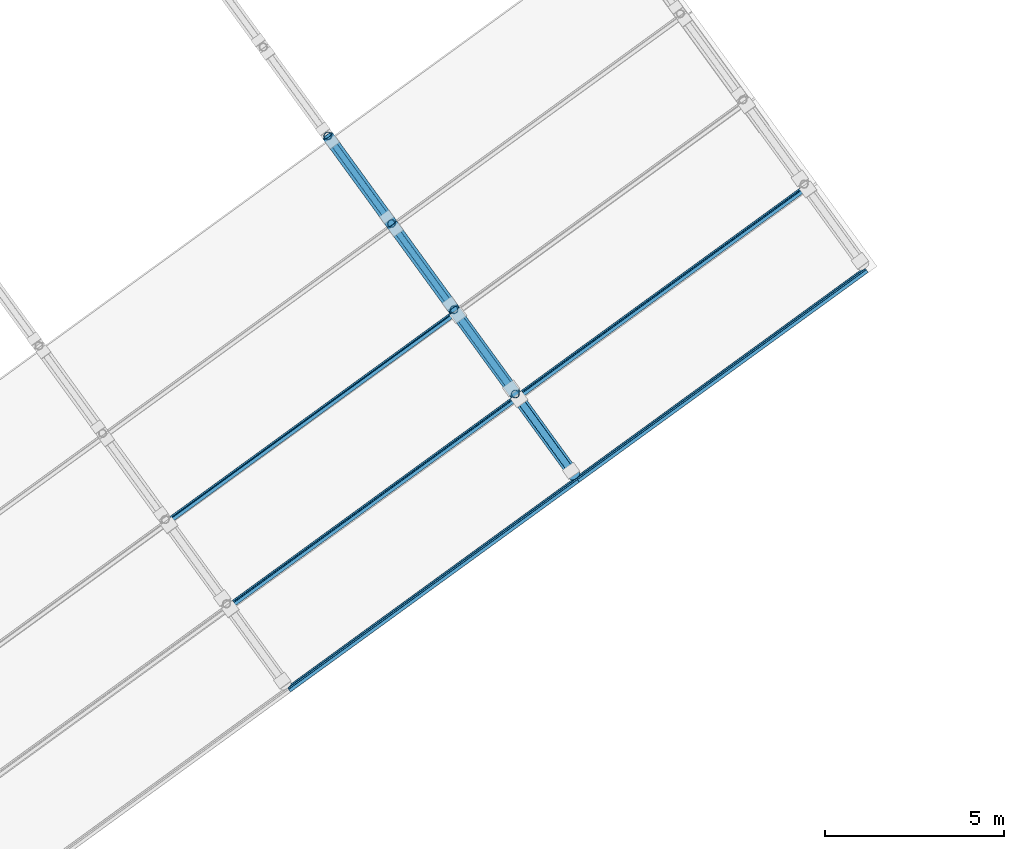
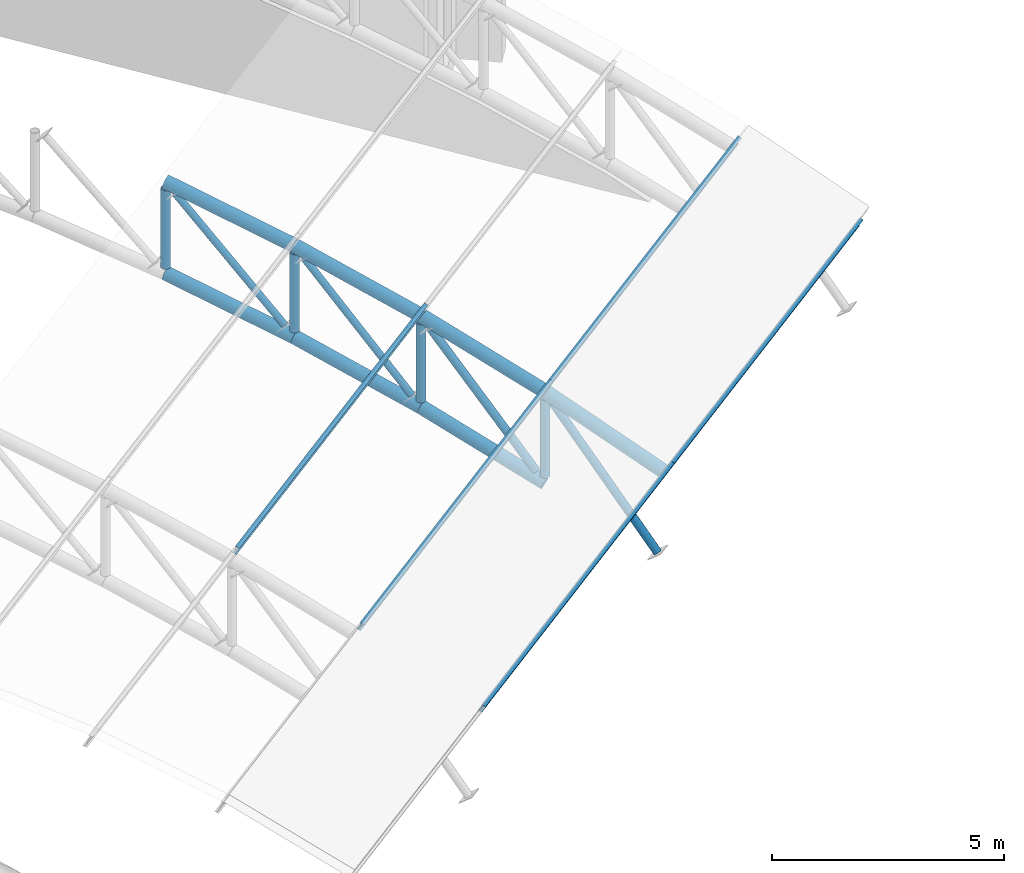
# One storey, part 31 of 69: 15 members, 5 beams.
"""IFC4 building model written with IfcOpenShell, lengths in metres."""

from ifc_helpers import new_model, si_unit, direction, frame, origin, origin_2d, place, context, subcontext, project, spatial, hollow_circle, i_section, extrude, material, material_profile, profile_set, type_object, element, save


model = new_model("IFC4")

# Units and contexts
model_context = context("Model", 3, precision=1e-05, world=origin(), true_north=direction((0.0, 1.0)))
body_context = subcontext(model_context, "Body", "Model", "MODEL_VIEW")
ifc_project = project(units=[si_unit("LENGTHUNIT", "METRE"), si_unit("AREAUNIT", "SQUARE_METRE"), si_unit("VOLUMEUNIT", "CUBIC_METRE"), si_unit("PLANEANGLEUNIT", "RADIAN"), si_unit("MASSUNIT", "GRAM", prefix="KILO")], contexts=[model_context])

# Site, building, storey
site_placement = place(None, origin())
site = spatial("IfcSite", under=ifc_project, at=site_placement, CompositionType="ELEMENT")
building_placement = place(site_placement, origin())
building = spatial("IfcBuilding", under=site, at=building_placement, Name="Okhra Congress Centre", CompositionType="ELEMENT")
storey_placement = place(building_placement, frame((0.0, 0.0, 16.800048828125)))
storey = spatial("IfcBuildingStorey", under=building, at=storey_placement, Name="L03", CompositionType="ELEMENT", Elevation=16.800048828125)

# Members
ifc_material_1 = material(Name="Steel S355J2H", Category="steel")
ifc_material_profile_1 = material_profile(ifc_material_1, hollow_circle(Radius=0.084228515625, WallThickness=0.00634765625, at=origin_2d()), Name="CHS 168.3x6.3")
ifc_profile_set_1 = profile_set([ifc_material_profile_1], Name="Steel S355J2H")
member_type_1 = type_object("IfcMemberType", Name="CHS 168.3x6.3", PredefinedType="BRACE", material=ifc_profile_set_1)
member_1_placement = place(storey_placement, frame((265.11865234375, 192.57666015625, 0.876220703125), z_axis=(-0.388372967773, 0.534433732195, 0.750697691348), x_axis=(-0.808956431788, -0.587868600513, 0.0)))
element("IfcMember", 1, at=member_1_placement, inside=storey, type_object=member_type_1, Name="Truss 6 diagonal 4", PredefinedType="BRACE", context=body_context, shape_type="SweptSolid", body=[
    extrude(hollow_circle(Radius=0.084228515625, WallThickness=0.00634765625, at=origin_2d()), origin(), (0.0, 0.0, 1.0), 3.8427734375),
])
member_2_placement = place(storey_placement, frame((263.358154296875, 194.999755859375, 1.861572265625), z_axis=(-0.403566104127, 0.555431833884, 0.727069375994), x_axis=(-0.809002272195, -0.587805515102, 0.0)))
element("IfcMember", 2, at=member_2_placement, inside=storey, type_object=member_type_1, Name="Truss 6 diagonal 5", PredefinedType="BRACE", context=body_context, shape_type="SweptSolid", body=[
    extrude(hollow_circle(Radius=0.084228515625, WallThickness=0.00634765625, at=origin_2d()), origin(), (0.0, 0.0, 1.0), 3.753662109375),
])
ifc_material_profile_2 = material_profile(ifc_material_1, hollow_circle(Radius=0.096923828125, WallThickness=0.010009765625, at=origin_2d()), Name="CHS 193.7x10")
ifc_profile_set_2 = profile_set([ifc_material_profile_2], Name="Steel S355J2H")
member_type_2 = type_object("IfcMemberType", Name="CHS 193.7x10", PredefinedType="BRACE", material=ifc_profile_set_2)
member_3_placement = place(storey_placement, frame((268.5224609375, 187.8916015625, -1.60595703125), z_axis=(-0.356744311991, 0.491020413212, 0.794753074654), x_axis=(-0.809019266757, -0.587782124615, 0.0)))
element("IfcMember", 3, at=member_3_placement, inside=storey, type_object=member_type_2, Name="Truss 6 diagonal 2", PredefinedType="BRACE", context=body_context, shape_type="SweptSolid", body=[
    extrude(hollow_circle(Radius=0.096923828125, WallThickness=0.010009765625, at=origin_2d()), origin(), (0.0, 0.0, 1.0), 4.052734375),
])
member_4_placement = place(storey_placement, frame((266.842041015625, 190.20458984375, -0.28076171875), z_axis=(-0.3727521496, 0.513012647098, 0.773223033081), x_axis=(-0.808997013889, -0.587812752089, 0.0)))
element("IfcMember", 4, at=member_4_placement, inside=storey, type_object=member_type_2, Name="Truss 6 diagonal 3", PredefinedType="BRACE", context=body_context, shape_type="SweptSolid", body=[
    extrude(hollow_circle(Radius=0.096923828125, WallThickness=0.010009765625, at=origin_2d()), origin(), (0.0, 0.0, 1.0), 3.95458984375),
])
ifc_material_profile_3 = material_profile(ifc_material_1, hollow_circle(Radius=0.109619140625, WallThickness=0.008056640625, at=origin_2d()), Name="CHS 219.1x8")
ifc_profile_set_3 = profile_set([ifc_material_profile_3], Name="Steel S355J2H")
member_type_3 = type_object("IfcMemberType", Name="CHS 219.1x8", PredefinedType="POST", material=ifc_profile_set_3)
member_5_placement = place(storey_placement, frame((266.962890625, 190.0380859375, -0.353271484375), z_axis=(0.0, 0.0, 1.0), x_axis=(1.0, 0.0, 0.0)))
element("IfcMember", 5, at=member_5_placement, inside=storey, type_object=member_type_3, Name="Truss 6 post 2", PredefinedType="POST", context=body_context, shape_type="SweptSolid", body=[
    extrude(hollow_circle(Radius=0.109619140625, WallThickness=0.008056640625, at=origin_2d()), origin(), (0.0, 0.0, 1.0), 2.043212890625),
])
member_6_placement = place(storey_placement, frame((265.2470703125, 192.39990234375, 0.80224609375), z_axis=(0.0, 0.0, 1.0), x_axis=(1.0, 0.0, 0.0)))
element("IfcMember", 6, at=member_6_placement, inside=storey, type_object=member_type_3, Name="Truss 6 post 3", PredefinedType="POST", context=body_context, shape_type="SweptSolid", body=[
    extrude(hollow_circle(Radius=0.109619140625, WallThickness=0.008056640625, at=origin_2d()), origin(), (0.0, 0.0, 1.0), 2.05126953125),
])
member_7_placement = place(storey_placement, frame((263.494384765625, 194.81201171875, 1.787109375), z_axis=(0.0, 0.0, 1.0), x_axis=(1.0, 0.0, 0.0)))
element("IfcMember", 7, at=member_7_placement, inside=storey, type_object=member_type_3, Name="Truss 6 post 4", PredefinedType="POST", context=body_context, shape_type="SweptSolid", body=[
    extrude(hollow_circle(Radius=0.109619140625, WallThickness=0.008056640625, at=origin_2d()), origin(), (0.0, 0.0, 1.0), 2.057861328125),
])
member_8_placement = place(storey_placement, frame((261.7109375, 197.2666015625, 2.597412109375), z_axis=(0.0, 0.0, 1.0), x_axis=(1.0, 0.0, 0.0)))
element("IfcMember", 8, at=member_8_placement, inside=storey, type_object=member_type_3, Name="Truss 6 post 5", PredefinedType="POST", context=body_context, shape_type="SweptSolid", body=[
    extrude(hollow_circle(Radius=0.109619140625, WallThickness=0.008056640625, at=origin_2d()), origin(), (0.0, 0.0, 1.0), 2.063232421875),
])
ifc_material_profile_4 = material_profile(ifc_material_1, hollow_circle(Radius=0.161865234375, WallThickness=0.012451171875, at=origin_2d()), Name="CHS 323.9x12.5")
ifc_profile_set_4 = profile_set([ifc_material_profile_4], Name="Steel S355J2H")
member_type_4 = type_object("IfcMemberType", Name="CHS 323.9x12.5", PredefinedType="CHORD", material=ifc_profile_set_4)
for number, where, z_axis, x_axis, name in (
    (9, (268.63623046875, 187.73486328125, 0.540771484375), (-0.532714364208, 0.733240051348, 0.42258068255), (-0.809025240298, -0.587773902586, 0.0), "Truss 6 top chord 2"),
    (10, (266.962890625, 190.0380859375, -0.53173828125), (-0.546233373681, 0.751886974528, 0.369181634175), (-0.809039757938, -0.58775391966, 0.0), "Truss 6 bottom chord 3"),
):
    element("IfcMember", number, at=place(storey_placement, frame(where, z_axis=z_axis, x_axis=x_axis)), inside=storey, type_object=member_type_4, Name=name, PredefinedType="CHORD", context=body_context, shape_type="SweptSolid", body=[
        extrude(hollow_circle(Radius=0.161865234375, WallThickness=0.012451171875, at=origin_2d()), origin(), (0.0, 0.0, 1.0), 3.14111328125),
    ])
member_9_placement = place(storey_placement, frame((266.962890625, 190.0380859375, 1.8681640625), z_axis=(-0.546217699248, 0.751865398766, 0.369248760548), x_axis=(-0.809039757938, -0.58775391966, 0.0)))
element("IfcMember", 11, at=member_9_placement, inside=storey, type_object=member_type_4, Name="Truss 6 top chord 3", PredefinedType="CHORD", context=body_context, shape_type="SweptSolid", body=[
    extrude(hollow_circle(Radius=0.161865234375, WallThickness=0.012451171875, at=origin_2d()), origin(), (0.0, 0.0, 1.0), 3.141357421875),
])
for number, where, z_axis, x_axis, name in (
    (12, (265.2470703125, 192.39990234375, 0.6279296875), (-0.557987850895, 0.767923104449, 0.314553117784), (-0.808987408201, -0.587825972012, 0.0), "Truss 6 bottom chord 4"),
    (13, (265.2470703125, 192.39990234375, 3.028076171875), (-0.557987850895, 0.767923104449, 0.314553117784), (-0.808987408201, -0.587825972012, 0.0), "Truss 6 top chord 4"),
    (14, (263.494384765625, 194.81201171875, 1.615966796875), (-0.567774014658, 0.781437363911, 0.258821008735), (-0.809003930018, -0.587803233417, 0.0), "Truss 6 bottom chord 5"),
    (15, (263.494384765625, 194.81201171875, 4.01611328125), (-0.567774014658, 0.781437363911, 0.258821008735), (-0.809003930018, -0.587803233417, 0.0), "Truss 6 top chord 5"),
):
    element("IfcMember", number, at=place(storey_placement, frame(where, z_axis=z_axis, x_axis=x_axis)), inside=storey, type_object=member_type_4, Name=name, PredefinedType="CHORD", context=body_context, shape_type="SweptSolid", body=[
        extrude(hollow_circle(Radius=0.161865234375, WallThickness=0.012451171875, at=origin_2d()), origin(), (0.0, 0.0, 1.0), 3.14111328125),
    ])

# Beams
ifc_material_2 = material(Name="Steel S355J2", Category="steel")
ifc_material_profile_5 = material_profile(ifc_material_2, i_section(OverallWidth=0.10009765625, OverallDepth=0.199951171875, WebThickness=0.005615234375, FlangeThickness=0.008544921875, FilletRadius=0.011962890625, at=origin_2d()), Name="IPE 200")
ifc_profile_set_5 = profile_set([ifc_material_profile_5], Name="Steel S355J2")
beam_type = type_object("IfcBeamType", Name="IPE 200", PredefinedType="BEAM", material=ifc_profile_set_5)
for number, where, z_axis, x_axis, name in (
    (16, (260.6142578125, 181.76318359375, 0.772216796875), (0.809030534284, 0.587766615755, 0.0), (-0.52524743273, 0.722976092452, 0.448799180206), "Purlin 2.11"),
    (17, (268.70458984375, 187.640869140625, 0.772216796875), (0.809010490052, 0.58779420462, 0.0), (-0.52527208704, 0.722958180273, 0.448799180206), "Purlin 2.12"),
):
    element("IfcBeam", number, at=place(storey_placement, frame(where, z_axis=z_axis, x_axis=x_axis)), inside=storey, type_object=beam_type, Name=name, PredefinedType="BEAM", context=body_context, shape_type="SweptSolid", body=[
        extrude(i_section(OverallWidth=0.10009765625, OverallDepth=0.199951171875, WebThickness=0.005615234375, FlangeThickness=0.008544921875, FilletRadius=0.011962890625, at=origin_2d()), origin(), (0.0, 0.0, 1.0), 10.0),
    ])
beam_placement = place(storey_placement, frame((258.93310546875, 184.077392578125, 2.10595703125), z_axis=(0.809022099746, 0.587778225288, 0.0), x_axis=(-0.539707433735, 0.74285712281, 0.396079766034)))
element("IfcBeam", 18, at=beam_placement, inside=storey, type_object=beam_type, Name="Purlin 3.17", PredefinedType="BEAM", context=body_context, shape_type="SweptSolid", body=[
    extrude(i_section(OverallWidth=0.10009765625, OverallDepth=0.199951171875, WebThickness=0.005615234375, FlangeThickness=0.008544921875, FilletRadius=0.011962890625, at=origin_2d()), origin(), (0.0, 0.0, 1.0), 9.999755859375),
])
for number, where, z_axis, x_axis, name in (
    (19, (267.023193359375, 189.955078125, 2.10595703125), (0.809010490052, 0.58779420462, 0.0), (-0.539722106215, 0.742846462603, 0.396079766034), "Purlin 3.18"),
    (20, (257.208984375, 186.4501953125, 3.271240234375), (0.809010490052, 0.58779420462, 0.0), (-0.552345876622, 0.760221187641, 0.342020143326), "Purlin 4.23"),
):
    element("IfcBeam", number, at=place(storey_placement, frame(where, z_axis=z_axis, x_axis=x_axis)), inside=storey, type_object=beam_type, Name=name, PredefinedType="BEAM", context=body_context, shape_type="SweptSolid", body=[
        extrude(i_section(OverallWidth=0.10009765625, OverallDepth=0.199951171875, WebThickness=0.005615234375, FlangeThickness=0.008544921875, FilletRadius=0.011962890625, at=origin_2d()), origin(), (0.0, 0.0, 1.0), 10.0),
    ])

save(model, "model.ifc")
